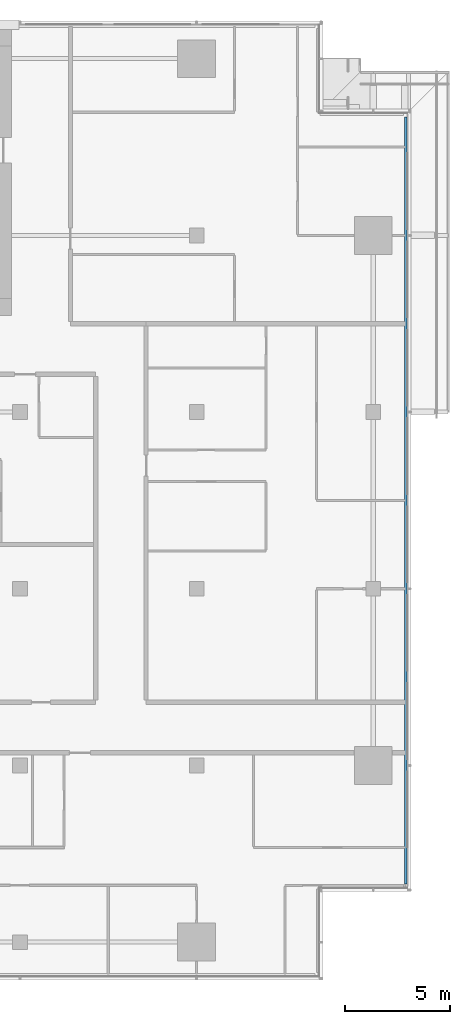
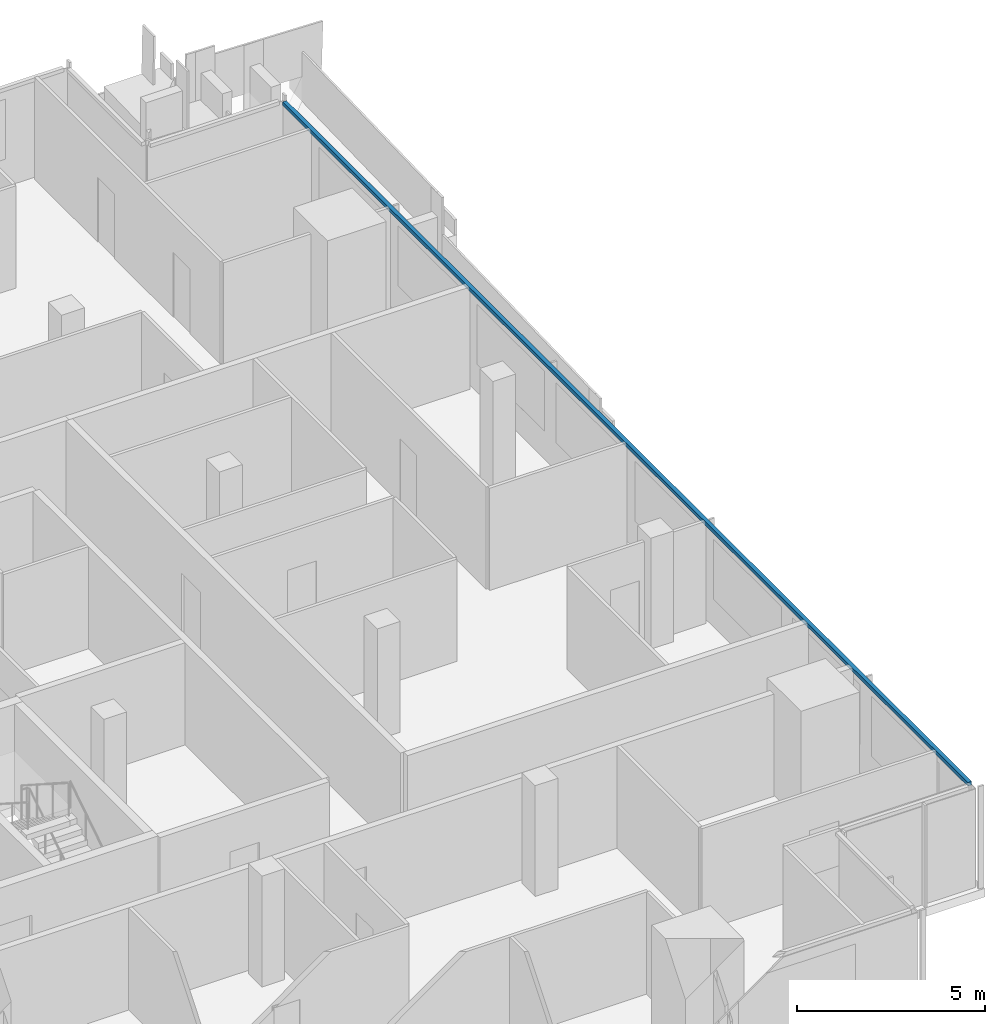
# One storey, part 12 of 29: 1 member, 1 element without a shape of its own.
"""IFC4 building model written with IfcOpenShell, lengths in metres."""

from ifc_helpers import new_model, si_unit, direction, frame, origin, origin_2d, place, context, subcontext, project, spatial, rectangle, extrude, material, material_profile, profile_set, type_object, element, aggregate, save


model = new_model("IFC4")

# Units and contexts
model_context = context("Model", 3, precision=1e-05, world=origin(), true_north=direction((0.0, 1.0)))
body_context = subcontext(model_context, "Body", "Model", "MODEL_VIEW")
ifc_project = project(units=[si_unit("LENGTHUNIT", "METRE"), si_unit("AREAUNIT", "SQUARE_METRE"), si_unit("VOLUMEUNIT", "CUBIC_METRE"), si_unit("PLANEANGLEUNIT", "RADIAN"), si_unit("MASSUNIT", "GRAM", prefix="KILO")], contexts=[model_context])

# Site, building, storey
site_placement = place(None, origin())
site = spatial("IfcSite", under=ifc_project, at=site_placement, CompositionType="ELEMENT")
building_placement = place(site_placement, origin())
building = spatial("IfcBuilding", under=site, at=building_placement, Name="Saffron Gate Tower", CompositionType="ELEMENT")
storey_placement = place(building_placement, frame((0.0, 0.0, 187.050048828125)))
storey = spatial("IfcBuildingStorey", under=building, at=storey_placement, Name="L46", CompositionType="ELEMENT", Elevation=187.050048828125)

# Curtain wall, member
ifc_material = material(Name="Aluminium, bronze anodised", Category="aluminium")
curtain_wall_type = type_object("IfcCurtainWallType", Name="CWS2 curtain wall side facades", PredefinedType="NOTDEFINED", material=ifc_material)
curtain_wall_placement = place(storey_placement, origin())
curtain_wall = element("IfcCurtainWall", 1, at=curtain_wall_placement, inside=storey, type_object=curtain_wall_type, Name="CWS2 run 4", PredefinedType="NOTDEFINED")
ifc_material_profile = material_profile(ifc_material, rectangle(XDim=0.1201171875, YDim=0.1201171875, at=origin_2d()))
ifc_profile_set = profile_set([ifc_material_profile], Name="Aluminium, bronze anodised")
member_type = type_object("IfcMemberType", Name="CWS2 head transom", PredefinedType="USERDEFINED", material=ifc_profile_set)
member_placement = place(storey_placement, frame((126.951904296875, 34.568115234375, 3.260009765625), z_axis=(0.0, 1.0, 0.0), x_axis=(-1.0, 0.0, 0.0)))
member = element("IfcMember", 2, at=member_placement, type_object=member_type, Name="CWS2 head transom", ObjectType="TRANSOM", PredefinedType="USERDEFINED", context=body_context, shape_type="SweptSolid", body=[
    extrude(rectangle(XDim=0.1201171875, YDim=0.1201171875, at=origin_2d()), origin(), (0.0, 0.0, 1.0), 36.4638671875),
])
aggregate(curtain_wall, [member])

save(model, "model.ifc")
